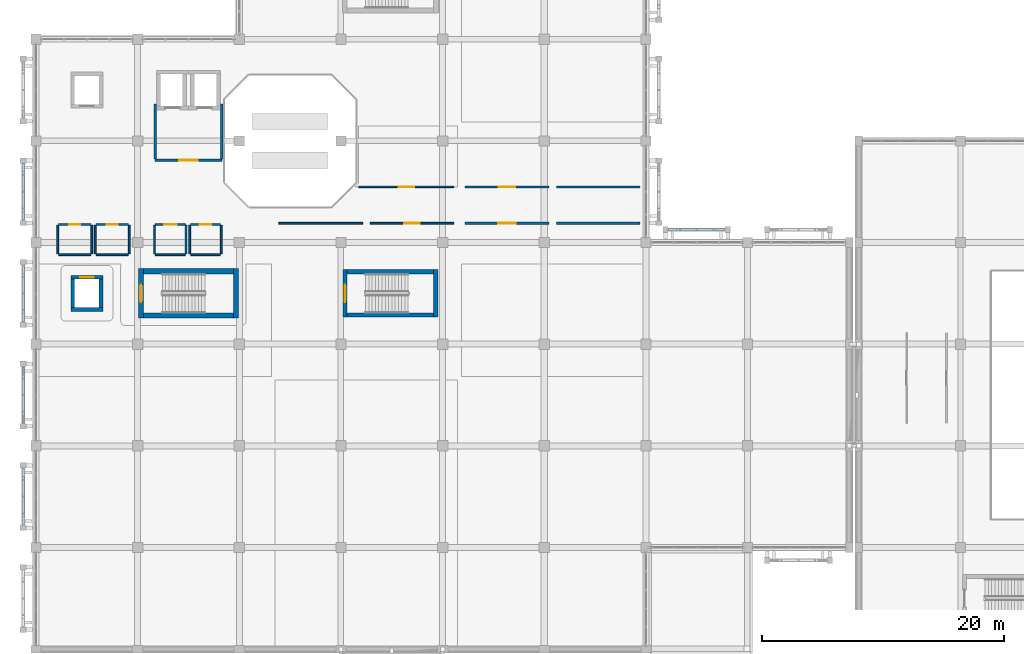
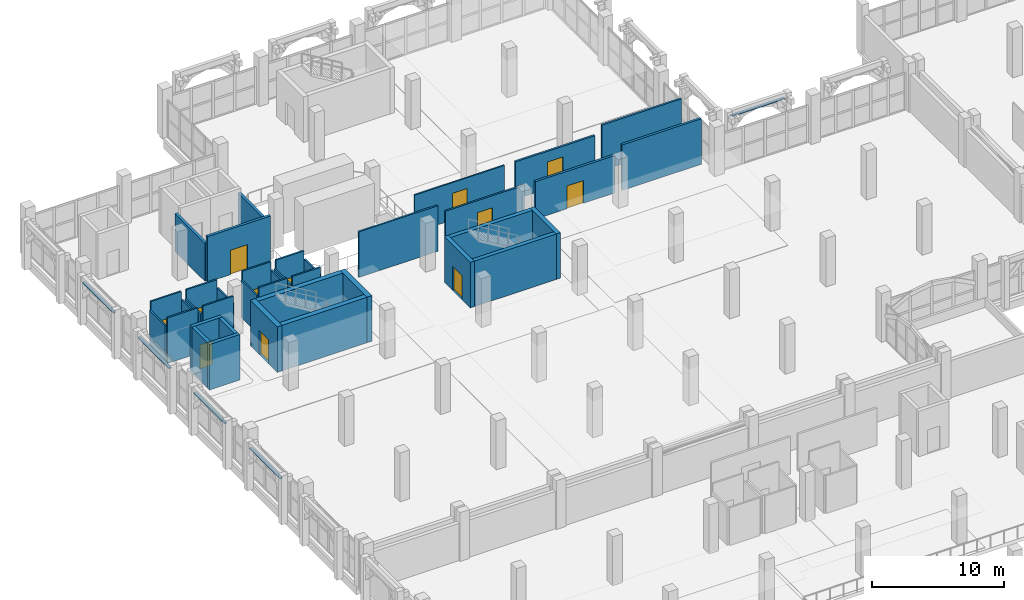
# One storey, part 115 of 137: 43 walls, 12 doors, 12 openings.
"""IFC4 building model written with IfcOpenShell, lengths in metres."""

from ifc_helpers import new_model, si_unit, direction, frame, frame_2d, origin, place, context, subcontext, project, spatial, rectangle, extrude, material, layer, layer_set, type_object, element, fill, save


model = new_model("IFC4")

# Units and contexts
model_context = context("Model", 3, precision=1e-05, world=origin(), true_north=direction((0.0, 1.0)))
body_context = subcontext(model_context, "Body", "Model", "MODEL_VIEW")
ifc_project = project(units=[si_unit("LENGTHUNIT", "METRE"), si_unit("AREAUNIT", "SQUARE_METRE"), si_unit("VOLUMEUNIT", "CUBIC_METRE"), si_unit("PLANEANGLEUNIT", "RADIAN"), si_unit("MASSUNIT", "GRAM", prefix="KILO")], contexts=[model_context])

# Site, building, storey
site_placement = place(None, origin())
site = spatial("IfcSite", under=ifc_project, at=site_placement, CompositionType="ELEMENT")
building_placement = place(site_placement, origin())
building = spatial("IfcBuilding", under=site, at=building_placement, Name="Xazarin Passage Department Store", CompositionType="ELEMENT")
storey_placement = place(building_placement, frame((0.0, 0.0, 5.39990234375)))
storey = spatial("IfcBuildingStorey", under=building, at=storey_placement, Name="L01", CompositionType="ELEMENT", Elevation=5.39990234375)

# Wall, opening, door
ifc_material_1 = material(Name="Buff Baku clay brick", Category="masonry")
ifc_layer_1 = layer(ifc_material_1, 0.169921875)
ifc_layer_set_1 = layer_set([ifc_layer_1], Name="Buff Baku clay brick")
wall_type_1 = type_object("IfcWallType", Name="ARC-W-CMP170", PredefinedType="PARTITIONING", material=ifc_layer_set_1)
wall_1_placement = place(storey_placement, frame((35.469970703125, 89.39990234375, 0.0), z_axis=(0.0, 0.0, 1.0), x_axis=(1.0, 0.0, 0.0)))
wall_1 = element("IfcWall", 1, at=wall_1_placement, inside=storey, type_object=wall_type_1, Name="L01 Womenswear Fashion Gallery Front Wall 0102", PredefinedType="PARTITIONING", context=body_context, shape_type="SweptSolid", body=[
    extrude(rectangle(XDim=6.909912109375, YDim=0.169921875, at=frame_2d((3.455078125, 0.0))), origin(), (0.0, 0.0, 1.0), 3.4501953125),
])
opening_1_placement = place(wall_1_placement, frame((2.77490234375, 0.0, 0.0)))
opening_1 = element("IfcOpeningElement", 2, at=opening_1_placement, cuts=wall_1, Name="Opening ID34", PredefinedType="OPENING", context=body_context, shape_type="SweptSolid", body=[
    extrude(rectangle(XDim=1.360107421875, YDim=2.4599609375, at=frame_2d((0.68017578125, 1.22998046875))), frame((0.0, 0.094970703125, 0.0), z_axis=(0.0, -1.0, 0.0), x_axis=(1.0, 0.0, 0.0)), (0.0, 0.0, 1.0), 0.18994140625),
])
ifc_material_2 = material(Name="Timber acoustic leaf", Category="wood")
door_type_1 = type_object("IfcDoorType", Name="ARC-DR-ID34", OperationType="NOTDEFINED", PredefinedType="DOOR", material=ifc_material_2)
door_1_placement = place(opening_1_placement, origin())
door_1 = element("IfcDoor", 3, at=door_1_placement, inside=storey, type_object=door_type_1, Name="DR-INT-L01-0102", OperationType="SINGLE_SWING_RIGHT", OverallHeight=2.4599609375, OverallWidth=1.360107421875, PredefinedType="DOOR", context=body_context, shape_type="SweptSolid", body=[
    extrude(rectangle(XDim=1.360107421875, YDim=2.4599609375, at=frame_2d((0.68017578125, 1.22998046875))), frame((0.0, 0.02490234375, 0.0), z_axis=(0.0, -1.0, 0.0), x_axis=(1.0, 0.0, 0.0)), (0.0, 0.0, 1.0), 0.050048828125),
])
fill(opening_1, door_1)

# Wall
wall_2_placement = place(storey_placement, frame((43.02001953125, 89.39990234375, 0.0), z_axis=(0.0, 0.0, 1.0), x_axis=(1.0, 0.0, 0.0)))
element("IfcWall", 4, at=wall_2_placement, inside=storey, type_object=wall_type_1, Name="L01 Womenswear Fashion Gallery Front Wall 0103", PredefinedType="PARTITIONING", context=body_context, shape_type="SweptSolid", body=[
    extrude(rectangle(XDim=6.909912109375, YDim=0.169921875, at=frame_2d((3.455078125, 0.0))), origin(), (0.0, 0.0, 1.0), 4.2001953125),
])

# Wall, opening, door
ifc_layer_2 = layer(ifc_material_1, 0.205078125)
ifc_layer_set_2 = layer_set([ifc_layer_2], Name="Buff Baku clay brick")
wall_type_2 = type_object("IfcWallType", Name="ARC-W-FIR205", PredefinedType="PARTITIONING", material=ifc_layer_set_2)
wall_3_placement = place(storey_placement, frame((35.469970703125, 86.39990234375, 0.0), z_axis=(0.0, 0.0, 1.0), x_axis=(1.0, 0.0, 0.0)))
wall_3 = element("IfcWall", 5, at=wall_3_placement, inside=storey, type_object=wall_type_2, Name="L01 Womenswear Fashion Gallery Front Wall 0104", PredefinedType="PARTITIONING", context=body_context, shape_type="SweptSolid", body=[
    extrude(rectangle(XDim=6.909912109375, YDim=0.205078125, at=frame_2d((3.455078125, 0.0))), origin(), (0.0, 0.0, 1.0), 3.4501953125),
])
opening_2_placement = place(wall_3_placement, frame((2.735107421875, 0.0, 0.0)))
opening_2 = element("IfcOpeningElement", 6, at=opening_2_placement, cuts=wall_3, Name="Opening ID35", PredefinedType="OPENING", context=body_context, shape_type="SweptSolid", body=[
    extrude(rectangle(XDim=1.43994140625, YDim=2.10009765625, at=frame_2d((0.719970703125, 1.050048828125))), frame((0.0, 0.112548828125, 0.0), z_axis=(0.0, -1.0, 0.0), x_axis=(1.0, 0.0, 0.0)), (0.0, 0.0, 1.0), 0.22509765625),
])
ifc_material_3 = material(Name="Bronze anodised aluminium", Category="aluminium")
door_type_2 = type_object("IfcDoorType", Name="ARC-DR-ID35", OperationType="NOTDEFINED", PredefinedType="DOOR", material=ifc_material_3)
door_2_placement = place(opening_2_placement, origin())
door_2 = element("IfcDoor", 7, at=door_2_placement, inside=storey, type_object=door_type_2, Name="DR-INT-L01-0104", OperationType="SINGLE_SWING_LEFT", OverallHeight=2.10009765625, OverallWidth=1.43994140625, PredefinedType="DOOR", context=body_context, shape_type="SweptSolid", body=[
    extrude(rectangle(XDim=1.43994140625, YDim=2.10009765625, at=frame_2d((0.719970703125, 1.050048828125))), frame((0.0, 0.02490234375, 0.0), z_axis=(0.0, -1.0, 0.0), x_axis=(1.0, 0.0, 0.0)), (0.0, 0.0, 1.0), 0.050048828125),
])
fill(opening_2, door_2)

# Wall
wall_4_placement = place(storey_placement, frame((43.02001953125, 86.39990234375, 0.0), z_axis=(0.0, 0.0, 1.0), x_axis=(1.0, 0.0, 0.0)))
element("IfcWall", 8, at=wall_4_placement, inside=storey, type_object=wall_type_2, Name="L01 Womenswear Fashion Gallery Front Wall 0105", PredefinedType="PARTITIONING", context=body_context, shape_type="SweptSolid", body=[
    extrude(rectangle(XDim=6.909912109375, YDim=0.205078125, at=frame_2d((3.455078125, 0.0))), origin(), (0.0, 0.0, 1.0), 4.2001953125),
])

# Wall, opening, door
ifc_material_4 = material(Name="Concrete C35/45", Category="concrete")
ifc_layer_3 = layer(ifc_material_4, 0.22509765625)
ifc_layer_set_3 = layer_set([ifc_layer_3], Name="Concrete C35/45")
wall_type_3 = type_object("IfcWallType", Name="ARC-W-FIR225", PredefinedType="PARTITIONING", material=ifc_layer_set_3)
wall_5_placement = place(storey_placement, frame((9.85009765625, 91.60009765625, 0.0), z_axis=(0.0, 0.0, 1.0), x_axis=(1.0, 0.0, 0.0)))
wall_5 = element("IfcWall", 9, at=wall_5_placement, inside=storey, type_object=wall_type_3, Name="L01 Firefighting Lift Lobby South Wall 0007", PredefinedType="PARTITIONING", context=body_context, shape_type="SweptSolid", body=[
    extrude(rectangle(XDim=5.5, YDim=0.22509765625, at=frame_2d((2.75, 0.0))), origin(), (0.0, 0.0, 1.0), 4.2001953125),
])
opening_3_placement = place(wall_5_placement, frame((2.0, 0.0, 0.0)))
opening_3 = element("IfcOpeningElement", 10, at=opening_3_placement, cuts=wall_5, Name="Opening FD3", PredefinedType="OPENING", context=body_context, shape_type="SweptSolid", body=[
    extrude(rectangle(XDim=1.5, YDim=2.25, at=frame_2d((0.75, 1.125))), frame((0.0, 0.12255859375, 0.0), z_axis=(0.0, -1.0, 0.0), x_axis=(1.0, 0.0, 0.0)), (0.0, 0.0, 1.0), 0.2451171875),
])
ifc_material_5 = material(Name="Steel S355", Category="steel")
door_type_3 = type_object("IfcDoorType", Name="ARC-DR-FFL150", OperationType="NOTDEFINED", PredefinedType="DOOR", material=ifc_material_5)
door_3_placement = place(opening_3_placement, origin())
door_3 = element("IfcDoor", 11, at=door_3_placement, inside=storey, type_object=door_type_3, Name="DR-INT-L01-0007", OperationType="SINGLE_SWING_RIGHT", OverallHeight=2.25, OverallWidth=1.5, PredefinedType="DOOR", context=body_context, shape_type="SweptSolid", body=[
    extrude(rectangle(XDim=1.5, YDim=2.25, at=frame_2d((0.75, 1.125))), frame((0.0, 0.02490234375, 0.0), z_axis=(0.0, -1.0, 0.0), x_axis=(1.0, 0.0, 0.0)), (0.0, 0.0, 1.0), 0.050048828125),
])
fill(opening_3, door_3)

# Walls
for number, where, z_axis, x_axis, name in (
    (12, (9.85009765625, 91.7099609375, 0.0), (0.0, 0.0, 1.0), (0.0, 1.0, 0.0), "L01 Firefighting Lift Lobby West Wall 0008"),
    (13, (15.35009765625, 91.7099609375, 0.0), (0.0, 0.0, 1.0), (0.0, 1.0, 0.0), "L01 Firefighting Lift Lobby East Wall 0009"),
):
    element("IfcWall", number, at=place(storey_placement, frame(where, z_axis=z_axis, x_axis=x_axis)), inside=storey, type_object=wall_type_3, Name=name, PredefinedType="PARTITIONING", context=body_context, shape_type="SweptSolid", body=[
        extrude(rectangle(XDim=4.530029296875, YDim=0.22509765625, at=frame_2d((2.26513671875, 0.0))), origin(), (0.0, 0.0, 1.0), 3.5),
    ])
ifc_material_6 = material(Name="Precast concrete C40/50", Category="concrete")
ifc_layer_4 = layer(ifc_material_6, 0.2099609375)
ifc_layer_set_4 = layer_set([ifc_layer_4], Name="Precast concrete C40/50")
wall_type_4 = type_object("IfcWallType", Name="ARC-W-PAR210", PredefinedType="PARAPET", material=ifc_layer_set_4)
for number, where, z_axis, x_axis, name in (
    (14, (52.27001953125, 85.85009765625, 3.880126953125), (0.0, 0.0, 1.0), (1.0, 0.0, 0.0), "L01 V1 Pierced-Arch Spandrel Lintel 0028"),
    (15, (-1.050048828125, 61.469970703125, 3.880126953125), (0.0, 0.0, 1.0), (0.0, 1.0, 0.0), "L01 V1 Pierced-Arch Spandrel Lintel 0040"),
    (16, (-1.050048828125, 69.8701171875, 3.880126953125), (0.0, 0.0, 1.0), (0.0, 1.0, 0.0), "L01 V1 Pierced-Arch Spandrel Lintel 0043"),
    (17, (-1.050048828125, 78.27001953125, 3.880126953125), (0.0, 0.0, 1.0), (0.0, 1.0, 0.0), "L01 V1 Pierced-Arch Spandrel Lintel 0048"),
):
    element("IfcWall", number, at=place(storey_placement, frame(where, z_axis=z_axis, x_axis=x_axis)), inside=storey, type_object=wall_type_4, Name=name, PredefinedType="PARAPET", context=body_context, shape_type="SweptSolid", body=[
        extrude(rectangle(XDim=4.659912109375, YDim=0.2099609375, at=frame_2d((2.330078125, 0.0))), origin(), (0.0, 0.0, 1.0), 0.119873046875),
    ])
wall_6_placement = place(storey_placement, frame((-1.050048828125, 86.669921875, 3.880126953125), z_axis=(0.0, 0.0, 1.0), x_axis=(0.0, 1.0, 0.0)))
element("IfcWall", 18, at=wall_6_placement, inside=storey, type_object=wall_type_4, Name="L01 V1 Pierced-Arch Spandrel Lintel 0056", PredefinedType="PARAPET", context=body_context, shape_type="SweptSolid", body=[
    extrude(rectangle(XDim=4.66015625, YDim=0.2099609375, at=frame_2d((2.330078125, 0.0))), origin(), (0.0, 0.0, 1.0), 0.119873046875),
])

# Wall, opening, door
ifc_material_7 = material(Name="Gypsum board acoustic partition")
ifc_layer_5 = layer(ifc_material_7, 0.125)
ifc_layer_set_5 = layer_set([ifc_layer_5], Name="Gypsum board acoustic partition")
wall_type_5 = type_object("IfcWallType", Name="ARC-W-PRT125", PredefinedType="PARTITIONING", material=ifc_layer_set_5)
wall_7_placement = place(storey_placement, frame((26.673583984375, 89.39990234375, 0.0), z_axis=(0.0, 0.0, 1.0), x_axis=(1.0, 0.0, 0.0)))
wall_7 = element("IfcWall", 19, at=wall_7_placement, inside=storey, type_object=wall_type_5, Name="L01 Luxury Leather Showroom Front Wall 0101", PredefinedType="PARTITIONING", context=body_context, shape_type="SweptSolid", body=[
    extrude(rectangle(XDim=7.8564453125, YDim=0.125, at=frame_2d((3.92822265625, 0.0))), origin(), (0.0, 0.0, 1.0), 3.4501953125),
])
opening_4_placement = place(wall_7_placement, frame((3.2880859375, 0.0, 0.0)))
opening_4 = element("IfcOpeningElement", 20, at=opening_4_placement, cuts=wall_7, Name="Opening ID30", PredefinedType="OPENING", context=body_context, shape_type="SweptSolid", body=[
    extrude(rectangle(XDim=1.280029296875, YDim=2.4599609375, at=frame_2d((0.64013671875, 1.22998046875))), frame((0.0, 0.072509765625, 0.0), z_axis=(0.0, -1.0, 0.0), x_axis=(1.0, 0.0, 0.0)), (0.0, 0.0, 1.0), 0.14501953125),
])
door_type_4 = type_object("IfcDoorType", Name="ARC-DR-ID30", OperationType="NOTDEFINED", PredefinedType="DOOR", material=ifc_material_2)
door_4_placement = place(opening_4_placement, origin())
door_4 = element("IfcDoor", 21, at=door_4_placement, inside=storey, type_object=door_type_4, Name="DR-INT-L01-0101", OperationType="SINGLE_SWING_LEFT", OverallHeight=2.4599609375, OverallWidth=1.280029296875, PredefinedType="DOOR", context=body_context, shape_type="SweptSolid", body=[
    extrude(rectangle(XDim=1.280029296875, YDim=2.4599609375, at=frame_2d((0.64013671875, 1.22998046875))), frame((0.0, 0.02490234375, 0.0), z_axis=(0.0, -1.0, 0.0), x_axis=(1.0, 0.0, 0.0)), (0.0, 0.0, 1.0), 0.050048828125),
])
fill(opening_4, door_4)

ifc_material_8 = material(Name="Moisture-resistant masonry partition", Category="masonry")
ifc_layer_6 = layer(ifc_material_8, 0.139892578125)
ifc_layer_set_6 = layer_set([ifc_layer_6], Name="Moisture-resistant masonry partition")
wall_type_6 = type_object("IfcWallType", Name="ARC-W-PRT140", PredefinedType="PARTITIONING", material=ifc_layer_set_6)
wall_8_placement = place(storey_placement, frame((1.8701171875, 86.300048828125, 0.0), z_axis=(0.0, 0.0, 1.0), x_axis=(1.0, 0.0, 0.0)))
wall_8 = element("IfcWall", 22, at=wall_8_placement, inside=storey, type_object=wall_type_6, Name="L01 Public Male WC 0083", PredefinedType="PARTITIONING", context=body_context, shape_type="SweptSolid", body=[
    extrude(rectangle(XDim=2.659912109375, YDim=0.139892578125, at=frame_2d((1.330078125, 0.0))), origin(), (0.0, 0.0, 1.0), 4.2001953125),
])
opening_5_placement = place(wall_8_placement, frame((0.8701171875, 0.0, 0.0)))
opening_5 = element("IfcOpeningElement", 23, at=opening_5_placement, cuts=wall_8, Name="Opening ID1", PredefinedType="OPENING", context=body_context, shape_type="SweptSolid", body=[
    extrude(rectangle(XDim=0.919921875, YDim=2.1201171875, at=frame_2d((0.4599609375, 1.06005859375))), frame((0.0, 0.079833984375, 0.0), z_axis=(0.0, -1.0, 0.0), x_axis=(1.0, 0.0, 0.0)), (0.0, 0.0, 1.0), 0.159912109375),
])
door_type_5 = type_object("IfcDoorType", Name="ARC-DR-WC092", OperationType="NOTDEFINED", PredefinedType="DOOR", material=ifc_material_2)
door_5_placement = place(opening_5_placement, origin())
door_5 = element("IfcDoor", 24, at=door_5_placement, inside=storey, type_object=door_type_5, Name="DR-INT-L01-0083", OperationType="SINGLE_SWING_RIGHT", OverallHeight=2.1201171875, OverallWidth=0.919921875, PredefinedType="DOOR", context=body_context, shape_type="SweptSolid", body=[
    extrude(rectangle(XDim=0.919921875, YDim=2.1201171875, at=frame_2d((0.4599609375, 1.06005859375))), frame((0.0, 0.02490234375, 0.0), z_axis=(0.0, -1.0, 0.0), x_axis=(1.0, 0.0, 0.0)), (0.0, 0.0, 1.0), 0.050048828125),
])
fill(opening_5, door_5)

# Walls
wall_9_placement = place(storey_placement, frame((1.8701171875, 83.800048828125, 0.0), z_axis=(0.0, 0.0, 1.0), x_axis=(1.0, 0.0, 0.0)))
element("IfcWall", 25, at=wall_9_placement, inside=storey, type_object=wall_type_6, Name="L01 Public Male WC Back Wall 0084", PredefinedType="PARTITIONING", context=body_context, shape_type="SweptSolid", body=[
    extrude(rectangle(XDim=2.659912109375, YDim=0.139892578125, at=frame_2d((1.330078125, 0.0))), origin(), (0.0, 0.0, 1.0), 4.2001953125),
])
for number, where, z_axis, x_axis, name in (
    (26, (1.800048828125, 83.8701171875, 0.0), (0.0, 0.0, 1.0), (0.0, 1.0, 0.0), "L01 Public Male WC Side Wall 0085"),
    (27, (4.60009765625, 83.8701171875, 0.0), (0.0, 0.0, 1.0), (0.0, 1.0, 0.0), "L01 Public Male WC Side Wall 0086"),
):
    element("IfcWall", number, at=place(storey_placement, frame(where, z_axis=z_axis, x_axis=x_axis)), inside=storey, type_object=wall_type_6, Name=name, PredefinedType="PARTITIONING", context=body_context, shape_type="SweptSolid", body=[
        extrude(rectangle(XDim=2.35986328125, YDim=0.139892578125, at=frame_2d((1.179931640625, 0.0))), origin(), (0.0, 0.0, 1.0), 3.4501953125),
    ])

# Wall, opening, door
wall_10_placement = place(storey_placement, frame((4.969970703125, 86.300048828125, 0.0), z_axis=(0.0, 0.0, 1.0), x_axis=(1.0, 0.0, 0.0)))
wall_10 = element("IfcWall", 28, at=wall_10_placement, inside=storey, type_object=wall_type_6, Name="L01 Public Female WC 0087", PredefinedType="PARTITIONING", context=body_context, shape_type="SweptSolid", body=[
    extrude(rectangle(XDim=2.659912109375, YDim=0.139892578125, at=frame_2d((1.330078125, 0.0))), origin(), (0.0, 0.0, 1.0), 4.2001953125),
])
opening_6_placement = place(wall_10_placement, frame((0.8701171875, 0.0, 0.0)))
opening_6 = element("IfcOpeningElement", 29, at=opening_6_placement, cuts=wall_10, Name="Opening ID1", PredefinedType="OPENING", context=body_context, shape_type="SweptSolid", body=[
    extrude(rectangle(XDim=0.919921875, YDim=2.1201171875, at=frame_2d((0.4599609375, 1.06005859375))), frame((0.0, 0.079833984375, 0.0), z_axis=(0.0, -1.0, 0.0), x_axis=(1.0, 0.0, 0.0)), (0.0, 0.0, 1.0), 0.159912109375),
])
door_6_placement = place(opening_6_placement, origin())
door_6 = element("IfcDoor", 30, at=door_6_placement, inside=storey, type_object=door_type_5, Name="DR-INT-L01-0087", OperationType="SINGLE_SWING_LEFT", OverallHeight=2.1201171875, OverallWidth=0.919921875, PredefinedType="DOOR", context=body_context, shape_type="SweptSolid", body=[
    extrude(rectangle(XDim=0.919921875, YDim=2.1201171875, at=frame_2d((0.4599609375, 1.06005859375))), frame((0.0, 0.02490234375, 0.0), z_axis=(0.0, -1.0, 0.0), x_axis=(1.0, 0.0, 0.0)), (0.0, 0.0, 1.0), 0.050048828125),
])
fill(opening_6, door_6)

# Walls
wall_11_placement = place(storey_placement, frame((4.969970703125, 83.800048828125, 0.0), z_axis=(0.0, 0.0, 1.0), x_axis=(1.0, 0.0, 0.0)))
element("IfcWall", 31, at=wall_11_placement, inside=storey, type_object=wall_type_6, Name="L01 Public Female WC Back Wall 0088", PredefinedType="PARTITIONING", context=body_context, shape_type="SweptSolid", body=[
    extrude(rectangle(XDim=2.659912109375, YDim=0.139892578125, at=frame_2d((1.330078125, 0.0))), origin(), (0.0, 0.0, 1.0), 4.2001953125),
])
for number, where, z_axis, x_axis, name in (
    (32, (4.89990234375, 83.8701171875, 0.0), (0.0, 0.0, 1.0), (0.0, 1.0, 0.0), "L01 Public Female WC Side Wall 0089"),
    (33, (7.699951171875, 83.8701171875, 0.0), (0.0, 0.0, 1.0), (0.0, 1.0, 0.0), "L01 Public Female WC Side Wall 0090"),
):
    element("IfcWall", number, at=place(storey_placement, frame(where, z_axis=z_axis, x_axis=x_axis)), inside=storey, type_object=wall_type_6, Name=name, PredefinedType="PARTITIONING", context=body_context, shape_type="SweptSolid", body=[
        extrude(rectangle(XDim=2.35986328125, YDim=0.139892578125, at=frame_2d((1.179931640625, 0.0))), origin(), (0.0, 0.0, 1.0), 3.4501953125),
    ])

# Wall, opening, door
wall_12_placement = place(storey_placement, frame((9.8701171875, 86.300048828125, 0.0), z_axis=(0.0, 0.0, 1.0), x_axis=(1.0, 0.0, 0.0)))
wall_12 = element("IfcWall", 34, at=wall_12_placement, inside=storey, type_object=wall_type_6, Name="L01 Accessible WC 0091", PredefinedType="PARTITIONING", context=body_context, shape_type="SweptSolid", body=[
    extrude(rectangle(XDim=2.4599609375, YDim=0.139892578125, at=frame_2d((1.22998046875, 0.0))), origin(), (0.0, 0.0, 1.0), 4.2001953125),
])
opening_7_placement = place(wall_12_placement, frame((0.719970703125, 0.0, 0.0)))
opening_7 = element("IfcOpeningElement", 35, at=opening_7_placement, cuts=wall_12, Name="Opening ID2", PredefinedType="OPENING", context=body_context, shape_type="SweptSolid", body=[
    extrude(rectangle(XDim=1.02001953125, YDim=2.14990234375, at=frame_2d((0.510009765625, 1.074951171875))), frame((0.0, 0.079833984375, 0.0), z_axis=(0.0, -1.0, 0.0), x_axis=(1.0, 0.0, 0.0)), (0.0, 0.0, 1.0), 0.159912109375),
])
door_type_6 = type_object("IfcDoorType", Name="ARC-DR-AWC102", OperationType="NOTDEFINED", PredefinedType="DOOR", material=ifc_material_2)
door_7_placement = place(opening_7_placement, origin())
door_7 = element("IfcDoor", 36, at=door_7_placement, inside=storey, type_object=door_type_6, Name="DR-INT-L01-0091", OperationType="SINGLE_SWING_RIGHT", OverallHeight=2.14990234375, OverallWidth=1.02001953125, PredefinedType="DOOR", context=body_context, shape_type="SweptSolid", body=[
    extrude(rectangle(XDim=1.02001953125, YDim=2.14990234375, at=frame_2d((0.510009765625, 1.074951171875))), frame((0.0, 0.02490234375, 0.0), z_axis=(0.0, -1.0, 0.0), x_axis=(1.0, 0.0, 0.0)), (0.0, 0.0, 1.0), 0.050048828125),
])
fill(opening_7, door_7)

# Walls
wall_13_placement = place(storey_placement, frame((9.8701171875, 83.800048828125, 0.0), z_axis=(0.0, 0.0, 1.0), x_axis=(1.0, 0.0, 0.0)))
element("IfcWall", 37, at=wall_13_placement, inside=storey, type_object=wall_type_6, Name="L01 Accessible WC Back Wall 0092", PredefinedType="PARTITIONING", context=body_context, shape_type="SweptSolid", body=[
    extrude(rectangle(XDim=2.4599609375, YDim=0.139892578125, at=frame_2d((1.22998046875, 0.0))), origin(), (0.0, 0.0, 1.0), 4.2001953125),
])
for number, where, z_axis, x_axis, name in (
    (38, (9.800048828125, 83.8701171875, 0.0), (0.0, 0.0, 1.0), (0.0, 1.0, 0.0), "L01 Accessible WC Side Wall 0093"),
    (39, (12.39990234375, 83.8701171875, 0.0), (0.0, 0.0, 1.0), (0.0, 1.0, 0.0), "L01 Accessible WC Side Wall 0094"),
):
    element("IfcWall", number, at=place(storey_placement, frame(where, z_axis=z_axis, x_axis=x_axis)), inside=storey, type_object=wall_type_6, Name=name, PredefinedType="PARTITIONING", context=body_context, shape_type="SweptSolid", body=[
        extrude(rectangle(XDim=2.35986328125, YDim=0.139892578125, at=frame_2d((1.179931640625, 0.0))), origin(), (0.0, 0.0, 1.0), 3.4501953125),
    ])

# Wall, opening, door
wall_14_placement = place(storey_placement, frame((12.77001953125, 86.300048828125, 0.0), z_axis=(0.0, 0.0, 1.0), x_axis=(1.0, 0.0, 0.0)))
wall_14 = element("IfcWall", 40, at=wall_14_placement, inside=storey, type_object=wall_type_6, Name="L01 Staff WC 0095", PredefinedType="PARTITIONING", context=body_context, shape_type="SweptSolid", body=[
    extrude(rectangle(XDim=2.4599609375, YDim=0.139892578125, at=frame_2d((1.22998046875, 0.0))), origin(), (0.0, 0.0, 1.0), 4.2001953125),
])
opening_8_placement = place(wall_14_placement, frame((0.77001953125, 0.0, 0.0)))
opening_8 = element("IfcOpeningElement", 41, at=opening_8_placement, cuts=wall_14, Name="Opening ID1", PredefinedType="OPENING", context=body_context, shape_type="SweptSolid", body=[
    extrude(rectangle(XDim=0.919921875, YDim=2.1201171875, at=frame_2d((0.4599609375, 1.06005859375))), frame((0.0, 0.079833984375, 0.0), z_axis=(0.0, -1.0, 0.0), x_axis=(1.0, 0.0, 0.0)), (0.0, 0.0, 1.0), 0.159912109375),
])
door_8_placement = place(opening_8_placement, origin())
door_8 = element("IfcDoor", 42, at=door_8_placement, inside=storey, type_object=door_type_5, Name="DR-INT-L01-0095", OperationType="SINGLE_SWING_LEFT", OverallHeight=2.1201171875, OverallWidth=0.919921875, PredefinedType="DOOR", context=body_context, shape_type="SweptSolid", body=[
    extrude(rectangle(XDim=0.919921875, YDim=2.1201171875, at=frame_2d((0.4599609375, 1.06005859375))), frame((0.0, 0.02490234375, 0.0), z_axis=(0.0, -1.0, 0.0), x_axis=(1.0, 0.0, 0.0)), (0.0, 0.0, 1.0), 0.050048828125),
])
fill(opening_8, door_8)

# Walls
wall_15_placement = place(storey_placement, frame((12.77001953125, 83.800048828125, 0.0), z_axis=(0.0, 0.0, 1.0), x_axis=(1.0, 0.0, 0.0)))
element("IfcWall", 43, at=wall_15_placement, inside=storey, type_object=wall_type_6, Name="L01 Staff WC Back Wall 0096", PredefinedType="PARTITIONING", context=body_context, shape_type="SweptSolid", body=[
    extrude(rectangle(XDim=2.4599609375, YDim=0.139892578125, at=frame_2d((1.22998046875, 0.0))), origin(), (0.0, 0.0, 1.0), 4.2001953125),
])
for number, where, z_axis, x_axis, name in (
    (44, (12.699951171875, 83.8701171875, 0.0), (0.0, 0.0, 1.0), (0.0, 1.0, 0.0), "L01 Staff WC Side Wall 0097"),
    (45, (15.300048828125, 83.8701171875, 0.0), (0.0, 0.0, 1.0), (0.0, 1.0, 0.0), "L01 Staff WC Side Wall 0098"),
):
    element("IfcWall", number, at=place(storey_placement, frame(where, z_axis=z_axis, x_axis=x_axis)), inside=storey, type_object=wall_type_6, Name=name, PredefinedType="PARTITIONING", context=body_context, shape_type="SweptSolid", body=[
        extrude(rectangle(XDim=2.35986328125, YDim=0.139892578125, at=frame_2d((1.179931640625, 0.0))), origin(), (0.0, 0.0, 1.0), 3.4501953125),
    ])
ifc_layer_7 = layer(ifc_material_7, 0.155029296875)
ifc_layer_set_7 = layer_set([ifc_layer_7], Name="Gypsum board acoustic partition")
wall_type_7 = type_object("IfcWallType", Name="ARC-W-PRT155", PredefinedType="PARTITIONING", material=ifc_layer_set_7)
wall_16_placement = place(storey_placement, frame((20.070068359375, 86.39990234375, 0.0), z_axis=(0.0, 0.0, 1.0), x_axis=(1.0, 0.0, 0.0)))
element("IfcWall", 46, at=wall_16_placement, inside=storey, type_object=wall_type_7, Name="L01 Luxury Leather Showroom Front Wall 0099", PredefinedType="PARTITIONING", context=body_context, shape_type="SweptSolid", body=[
    extrude(rectangle(XDim=6.909912109375, YDim=0.155029296875, at=frame_2d((3.455078125, 0.0))), origin(), (0.0, 0.0, 1.0), 4.2001953125),
])

# Wall, opening, door
wall_17_placement = place(storey_placement, frame((27.6201171875, 86.39990234375, 0.0), z_axis=(0.0, 0.0, 1.0), x_axis=(1.0, 0.0, 0.0)))
wall_17 = element("IfcWall", 47, at=wall_17_placement, inside=storey, type_object=wall_type_7, Name="L01 Luxury Leather Showroom Front Wall 0100", PredefinedType="PARTITIONING", context=body_context, shape_type="SweptSolid", body=[
    extrude(rectangle(XDim=6.909912109375, YDim=0.155029296875, at=frame_2d((3.455078125, 0.0))), origin(), (0.0, 0.0, 1.0), 3.4501953125),
])
opening_9_placement = place(wall_17_placement, frame((2.81494140625, 0.0, 0.0)))
opening_9 = element("IfcOpeningElement", 48, at=opening_9_placement, cuts=wall_17, Name="Opening ID29", PredefinedType="OPENING", context=body_context, shape_type="SweptSolid", body=[
    extrude(rectangle(XDim=1.280029296875, YDim=2.340087890625, at=frame_2d((0.64013671875, 1.169921875))), frame((0.0, 0.08740234375, 0.0), z_axis=(0.0, -1.0, 0.0), x_axis=(1.0, 0.0, 0.0)), (0.0, 0.0, 1.0), 0.175048828125),
])
door_type_7 = type_object("IfcDoorType", Name="ARC-DR-ID29", OperationType="NOTDEFINED", PredefinedType="DOOR", material=ifc_material_2)
door_9_placement = place(opening_9_placement, origin())
door_9 = element("IfcDoor", 49, at=door_9_placement, inside=storey, type_object=door_type_7, Name="DR-INT-L01-0100", OperationType="SINGLE_SWING_RIGHT", OverallHeight=2.340087890625, OverallWidth=1.280029296875, PredefinedType="DOOR", context=body_context, shape_type="SweptSolid", body=[
    extrude(rectangle(XDim=1.280029296875, YDim=2.340087890625, at=frame_2d((0.64013671875, 1.169921875))), frame((0.0, 0.02490234375, 0.0), z_axis=(0.0, -1.0, 0.0), x_axis=(1.0, 0.0, 0.0)), (0.0, 0.0, 1.0), 0.050048828125),
])
fill(opening_9, door_9)

# Wall
ifc_material_9 = material(Name="Concrete C40/50", Category="concrete")
ifc_layer_8 = layer(ifc_material_9, 0.31005859375)
ifc_layer_set_8 = layer_set([ifc_layer_8], Name="Concrete C40/50")
wall_type_8 = type_object("IfcWallType", Name="STR-W-LFT310", PredefinedType="SHEAR", material=ifc_layer_set_8)
wall_18_placement = place(storey_placement, frame((2.8701171875, 79.27490234375, 0.0), z_axis=(0.0, 0.0, 1.0), x_axis=(1.0, 0.0, 0.0)))
element("IfcWall", 50, at=wall_18_placement, inside=storey, type_object=wall_type_8, Name="L01 Lift PL1 Shaft Wall South", PredefinedType="SHEAR", context=body_context, shape_type="SweptSolid", body=[
    extrude(rectangle(XDim=2.659912109375, YDim=0.31005859375, at=frame_2d((1.330078125, 0.0))), origin(), (0.0, 0.0, 1.0), 4.2001953125),
])

# Wall, opening, door
wall_19_placement = place(storey_placement, frame((2.8701171875, 81.925048828125, 0.0), z_axis=(0.0, 0.0, 1.0), x_axis=(1.0, 0.0, 0.0)))
wall_19 = element("IfcWall", 51, at=wall_19_placement, inside=storey, type_object=wall_type_8, Name="L01 Lift PL1 Shaft Wall North", PredefinedType="SHEAR", context=body_context, shape_type="SweptSolid", body=[
    extrude(rectangle(XDim=2.659912109375, YDim=0.31005859375, at=frame_2d((1.330078125, 0.0))), origin(), (0.0, 0.0, 1.0), 4.2001953125),
])
opening_10_placement = place(wall_19_placement, frame((0.780029296875, 0.0, 0.0)))
opening_10 = element("IfcOpeningElement", 52, at=opening_10_placement, cuts=wall_19, Name="Opening LD-PL1-L01", PredefinedType="OPENING", context=body_context, shape_type="SweptSolid", body=[
    extrude(rectangle(XDim=1.10009765625, YDim=2.199951171875, at=frame_2d((0.550048828125, 1.10009765625))), frame((0.0, 0.1650390625, 0.0), z_axis=(0.0, -1.0, 0.0), x_axis=(1.0, 0.0, 0.0)), (0.0, 0.0, 1.0), 0.330078125),
])
door_type_8 = type_object("IfcDoorType", Name="ARC-DR-LD110", OperationType="NOTDEFINED", PredefinedType="DOOR", material=ifc_material_5)
door_10_placement = place(opening_10_placement, origin())
door_10 = element("IfcDoor", 53, at=door_10_placement, inside=storey, type_object=door_type_8, Name="DR-LD-PL1-L01", OperationType="SLIDING_TO_LEFT", OverallHeight=2.199951171875, OverallWidth=1.10009765625, PredefinedType="DOOR", context=body_context, shape_type="SweptSolid", body=[
    extrude(rectangle(XDim=1.10009765625, YDim=2.199951171875, at=frame_2d((0.550048828125, 1.10009765625))), frame((0.0, 0.02490234375, 0.0), z_axis=(0.0, -1.0, 0.0), x_axis=(1.0, 0.0, 0.0)), (0.0, 0.0, 1.0), 0.050048828125),
])
fill(opening_10, door_10)

# Walls
for number, where, z_axis, x_axis, name in (
    (54, (3.02490234375, 79.429931640625, 0.0), (0.0, 0.0, 1.0), (0.0, 1.0, 0.0), "L01 Lift PL1 Shaft Wall West"),
    (55, (5.375, 79.429931640625, 0.0), (0.0, 0.0, 1.0), (0.0, 1.0, 0.0), "L01 Lift PL1 Shaft Wall East"),
):
    element("IfcWall", number, at=place(storey_placement, frame(where, z_axis=z_axis, x_axis=x_axis)), inside=storey, type_object=wall_type_8, Name=name, PredefinedType="SHEAR", context=body_context, shape_type="SweptSolid", body=[
        extrude(rectangle(XDim=2.340087890625, YDim=0.31005859375, at=frame_2d((1.169921875, 0.0))), origin(), (0.0, 0.0, 1.0), 4.2001953125),
    ])

# Wall, opening, door
ifc_layer_9 = layer(ifc_material_9, 0.35009765625)
ifc_layer_set_9 = layer_set([ifc_layer_9], Name="Concrete C40/50")
wall_type_9 = type_object("IfcWallType", Name="STR-W-SHR350", PredefinedType="SHEAR", material=ifc_layer_set_9)
wall_20_placement = place(storey_placement, frame((25.52490234375, 82.570068359375, 0.0), z_axis=(0.0, 0.0, 1.0), x_axis=(0.0, -1.0, 0.0)))
wall_20 = element("IfcWall", 56, at=wall_20_placement, inside=storey, type_object=wall_type_9, Name="L01 Core K3 West Shear Wall", PredefinedType="SHEAR", context=body_context, shape_type="SweptSolid", body=[
    extrude(rectangle(XDim=3.940185546875, YDim=0.35009765625, at=frame_2d((1.97021484375, 0.0))), origin(), (0.0, 0.0, 1.0), 4.2001953125),
])
opening_11_placement = place(wall_20_placement, frame((1.2451171875, 0.0, 0.0)))
opening_11 = element("IfcOpeningElement", 57, at=opening_11_placement, cuts=wall_20, Name="Opening FD1", PredefinedType="OPENING", context=body_context, shape_type="SweptSolid", body=[
    extrude(rectangle(XDim=1.449951171875, YDim=2.199951171875, at=frame_2d((0.72509765625, 1.10009765625))), frame((0.0, 0.18505859375, 0.0), z_axis=(0.0, -1.0, 0.0), x_axis=(1.0, 0.0, 0.0)), (0.0, 0.0, 1.0), 0.3701171875),
])
door_type_9 = type_object("IfcDoorType", Name="ARC-DR-STR145", OperationType="NOTDEFINED", PredefinedType="DOOR", material=ifc_material_5)
door_11_placement = place(opening_11_placement, origin())
door_11 = element("IfcDoor", 58, at=door_11_placement, inside=storey, type_object=door_type_9, Name="DR-STR-K3-L01", OperationType="SINGLE_SWING_LEFT", OverallHeight=2.199951171875, OverallWidth=1.449951171875, PredefinedType="DOOR", context=body_context, shape_type="SweptSolid", body=[
    extrude(rectangle(XDim=1.449951171875, YDim=2.199951171875, at=frame_2d((0.72509765625, 1.10009765625))), frame((0.0, 0.02490234375, 0.0), z_axis=(0.0, -1.0, 0.0), x_axis=(1.0, 0.0, 0.0)), (0.0, 0.0, 1.0), 0.050048828125),
])
fill(opening_11, door_11)

# Walls
wall_21_placement = place(storey_placement, frame((33.02490234375, 78.6298828125, 0.0), z_axis=(0.0, 0.0, 1.0), x_axis=(0.0, 1.0, 0.0)))
element("IfcWall", 59, at=wall_21_placement, inside=storey, type_object=wall_type_9, Name="L01 Core K3 East Shear Wall", PredefinedType="SHEAR", context=body_context, shape_type="SweptSolid", body=[
    extrude(rectangle(XDim=3.940185546875, YDim=0.35009765625, at=frame_2d((1.97021484375, 0.0))), origin(), (0.0, 0.0, 1.0), 4.2001953125),
])
for number, where, z_axis, x_axis, name in (
    (60, (25.699951171875, 78.804931640625, 0.0), (0.0, 0.0, 1.0), (1.0, 0.0, 0.0), "L01 Core K3 South Shear Wall"),
    (61, (25.699951171875, 82.39501953125, 0.0), (0.0, 0.0, 1.0), (1.0, 0.0, 0.0), "L01 Core K3 North Shear Wall"),
):
    element("IfcWall", number, at=place(storey_placement, frame(where, z_axis=z_axis, x_axis=x_axis)), inside=storey, type_object=wall_type_9, Name=name, PredefinedType="SHEAR", context=body_context, shape_type="SweptSolid", body=[
        extrude(rectangle(XDim=7.150146484375, YDim=0.35009765625, at=frame_2d((3.5751953125, 0.0))), origin(), (0.0, 0.0, 1.0), 4.2001953125),
    ])

# Wall, opening, door
ifc_layer_10 = layer(ifc_material_9, 0.419921875)
ifc_layer_set_10 = layer_set([ifc_layer_10], Name="Concrete C40/50")
wall_type_10 = type_object("IfcWallType", Name="STR-W-SHR420", PredefinedType="SHEAR", material=ifc_layer_set_10)
wall_22_placement = place(storey_placement, frame((8.68994140625, 82.639892578125, 0.0), z_axis=(0.0, 0.0, 1.0), x_axis=(0.0, -1.0, 0.0)))
wall_22 = element("IfcWall", 62, at=wall_22_placement, inside=storey, type_object=wall_type_10, Name="L01 Core K1 West Shear Wall", PredefinedType="SHEAR", context=body_context, shape_type="SweptSolid", body=[
    extrude(rectangle(XDim=4.079833984375, YDim=0.419921875, at=frame_2d((2.0400390625, 0.0))), origin(), (0.0, 0.0, 1.0), 4.2001953125),
])
opening_12_placement = place(wall_22_placement, frame((1.31494140625, 0.0, 0.0)))
opening_12 = element("IfcOpeningElement", 63, at=opening_12_placement, cuts=wall_22, Name="Opening FD1", PredefinedType="OPENING", context=body_context, shape_type="SweptSolid", body=[
    extrude(rectangle(XDim=1.449951171875, YDim=2.199951171875, at=frame_2d((0.72509765625, 1.10009765625))), frame((0.0, 0.219970703125, 0.0), z_axis=(0.0, -1.0, 0.0), x_axis=(1.0, 0.0, 0.0)), (0.0, 0.0, 1.0), 0.43994140625),
])
door_12_placement = place(opening_12_placement, origin())
door_12 = element("IfcDoor", 64, at=door_12_placement, inside=storey, type_object=door_type_9, Name="DR-STR-K1-L01", OperationType="SINGLE_SWING_LEFT", OverallHeight=2.199951171875, OverallWidth=1.449951171875, PredefinedType="DOOR", context=body_context, shape_type="SweptSolid", body=[
    extrude(rectangle(XDim=1.449951171875, YDim=2.199951171875, at=frame_2d((0.72509765625, 1.10009765625))), frame((0.0, 0.02490234375, 0.0), z_axis=(0.0, -1.0, 0.0), x_axis=(1.0, 0.0, 0.0)), (0.0, 0.0, 1.0), 0.050048828125),
])
fill(opening_12, door_12)

# Walls
wall_23_placement = place(storey_placement, frame((16.510009765625, 78.56005859375, 0.0), z_axis=(0.0, 0.0, 1.0), x_axis=(0.0, 1.0, 0.0)))
element("IfcWall", 65, at=wall_23_placement, inside=storey, type_object=wall_type_10, Name="L01 Core K1 East Shear Wall", PredefinedType="SHEAR", context=body_context, shape_type="SweptSolid", body=[
    extrude(rectangle(XDim=4.079833984375, YDim=0.419921875, at=frame_2d((2.0400390625, 0.0))), origin(), (0.0, 0.0, 1.0), 4.2001953125),
])
for number, where, z_axis, x_axis, name in (
    (66, (8.89990234375, 78.77001953125, 0.0), (0.0, 0.0, 1.0), (1.0, 0.0, 0.0), "L01 Core K1 South Shear Wall"),
    (67, (8.89990234375, 82.429931640625, 0.0), (0.0, 0.0, 1.0), (1.0, 0.0, 0.0), "L01 Core K1 North Shear Wall"),
):
    element("IfcWall", number, at=place(storey_placement, frame(where, z_axis=z_axis, x_axis=x_axis)), inside=storey, type_object=wall_type_10, Name=name, PredefinedType="SHEAR", context=body_context, shape_type="SweptSolid", body=[
        extrude(rectangle(XDim=7.400146484375, YDim=0.419921875, at=frame_2d((3.7001953125, 0.0))), origin(), (0.0, 0.0, 1.0), 4.2001953125),
    ])

save(model, "model.ifc")
